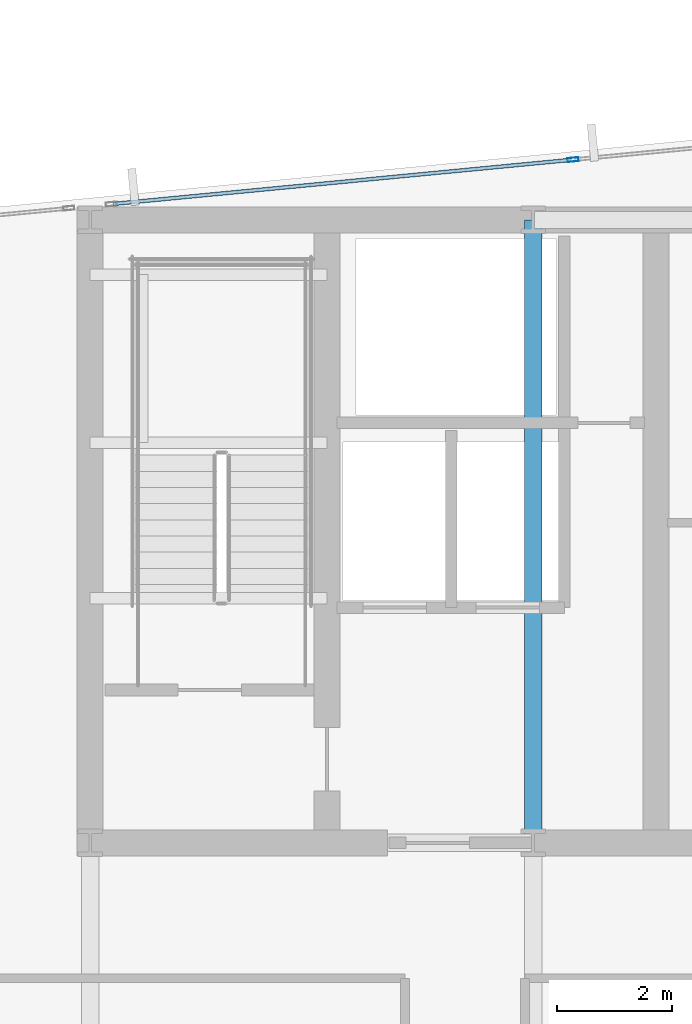
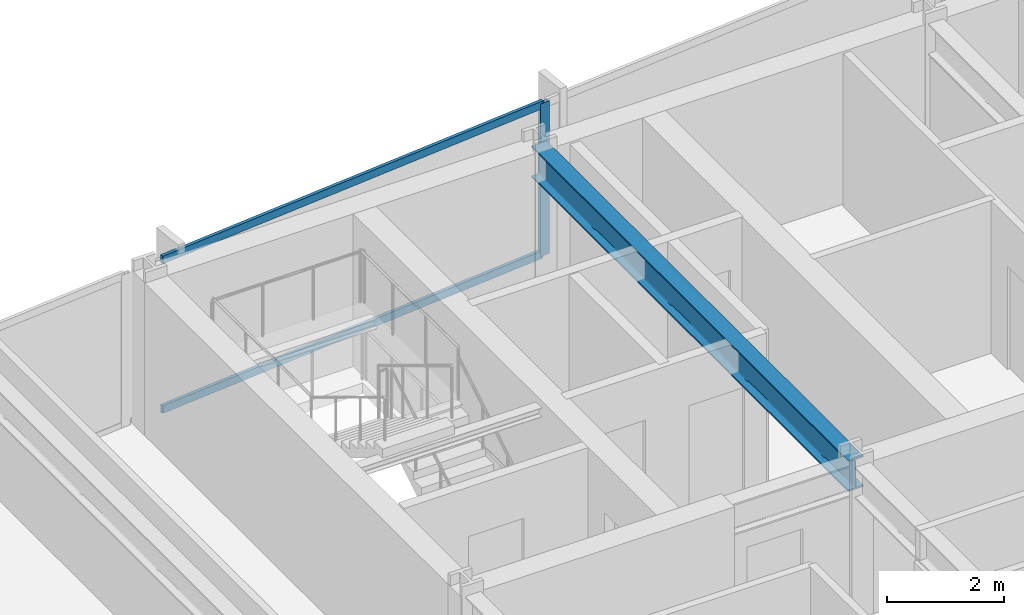
# One storey, part 18 of 32: 3 members, 1 beam, 1 element without a shape of its own.
"""IFC4 building model written with IfcOpenShell, lengths in metres."""

from ifc_helpers import new_model, si_unit, direction, frame, origin, origin_2d, place, context, subcontext, project, spatial, hollow_rectangle, i_section, extrude, material, material_profile, profile_set, type_object, element, aggregate, save


model = new_model("IFC4")

# Units and contexts
model_context = context("Model", 3, precision=1e-05, world=origin(), true_north=direction((0.0, 1.0)))
body_context = subcontext(model_context, "Body", "Model", "MODEL_VIEW")
ifc_project = project(units=[si_unit("LENGTHUNIT", "METRE"), si_unit("AREAUNIT", "SQUARE_METRE"), si_unit("VOLUMEUNIT", "CUBIC_METRE"), si_unit("PLANEANGLEUNIT", "RADIAN"), si_unit("MASSUNIT", "GRAM", prefix="KILO")], contexts=[model_context])

# Site, building, storey
site_placement = place(None, origin())
site = spatial("IfcSite", under=ifc_project, at=site_placement, CompositionType="ELEMENT")
building_placement = place(site_placement, origin())
building = spatial("IfcBuilding", under=site, at=building_placement, Name="Yelkora Congress Tower", CompositionType="ELEMENT")
storey_placement = place(building_placement, frame((0.0, 0.0, 116.89990234375)))
storey = spatial("IfcBuildingStorey", under=building, at=storey_placement, Name="L31", CompositionType="ELEMENT", Elevation=116.89990234375)

# Beam
ifc_material_1 = material(Name="Steel S355J2", Category="steel")
ifc_material_profile_1 = material_profile(ifc_material_1, i_section(OverallWidth=0.300048828125, OverallDepth=0.64990234375, WebThickness=0.01611328125, FlangeThickness=0.031005859375, FilletRadius=0.027099609375, at=origin_2d()), Name="HEB 650")
ifc_profile_set_1 = profile_set([ifc_material_profile_1], Name="Steel S355J2")
beam_type = type_object("IfcBeamType", Name="BM-GIRD-HEB650", PredefinedType="BEAM", material=ifc_profile_set_1)
beam_placement = place(storey_placement, frame((30.719970703125, 35.39990234375, 2.85498046875), z_axis=(0.0, 1.0, 0.0), x_axis=(-1.0, 0.0, 0.0)))
element("IfcBeam", 1, at=beam_placement, inside=storey, type_object=beam_type, Name="L31 Core Tie Girder MC-S2", PredefinedType="BEAM", context=body_context, shape_type="SweptSolid", body=[
    extrude(i_section(OverallWidth=0.300048828125, OverallDepth=0.64990234375, WebThickness=0.01611328125, FlangeThickness=0.031005859375, FilletRadius=0.027099609375, at=origin_2d()), origin(), (0.0, 0.0, 1.0), 10.800048828125),
])

# Curtain wall, members
ifc_material_2 = material(Name="Anodised aluminium and insulated glass", Category="aluminium")
curtain_wall_type = type_object("IfcCurtainWallType", Name="CW-SYS-B2", PredefinedType="NOTDEFINED", material=ifc_material_2)
curtain_wall_placement = place(storey_placement, origin())
curtain_wall = element("IfcCurtainWall", 2, at=curtain_wall_placement, inside=storey, type_object=curtain_wall_type, Name="L31 Unitised Curtain Wall 10 (3)", PredefinedType="NOTDEFINED")
ifc_material_3 = material(Name="Anodised aluminium 6063-T6", Category="aluminium")
ifc_material_profile_2 = material_profile(ifc_material_3, hollow_rectangle(XDim=0.070068359375, YDim=0.18994140625, WallThickness=0.00390625, at=origin_2d()), Name="ALU 70x190x4")
ifc_profile_set_2 = profile_set([ifc_material_profile_2], Name="Anodised aluminium 6063-T6")
member_type_1 = type_object("IfcMemberType", Name="MEM-ML-B2", PredefinedType="MULLION", material=ifc_profile_set_2)
member_1_placement = place(storey_placement, frame((31.411865234375, 47.244140625, 0.0), z_axis=(0.0, 0.0, 1.0), x_axis=(-0.095844238468, 0.995396344153, 0.0)))
member_1 = element("IfcMember", 3, at=member_1_placement, type_object=member_type_1, Name="CW-B2 mullion 2", PredefinedType="MULLION", context=body_context, shape_type="SweptSolid", body=[
    extrude(hollow_rectangle(XDim=0.070068359375, YDim=0.18994140625, WallThickness=0.00390625, at=origin_2d()), origin(), (0.0, 0.0, 1.0), 3.18017578125),
])
ifc_material_profile_3 = material_profile(ifc_material_3, hollow_rectangle(XDim=0.06494140625, YDim=0.159912109375, WallThickness=0.00390625, at=origin_2d()), Name="ALU 65x160x4")
ifc_profile_set_3 = profile_set([ifc_material_profile_3], Name="Anodised aluminium 6063-T6")
member_type_2 = type_object("IfcMemberType", Name="MEM-TR-B2", PredefinedType="USERDEFINED", material=ifc_profile_set_3)
member_2_placement = place(storey_placement, frame((23.441650390625, 46.476806640625, 0.03271484375), z_axis=(0.995398474706, 0.09582210889, 0.0), x_axis=(-0.09582210889, 0.995398474706, 0.0)))
member_2 = element("IfcMember", 4, at=member_2_placement, type_object=member_type_2, Name="CW-B2 transom 1.1", ObjectType="TRANSOM", PredefinedType="USERDEFINED", context=body_context, shape_type="SweptSolid", body=[
    extrude(hollow_rectangle(XDim=0.06494140625, YDim=0.159912109375, WallThickness=0.00390625, at=origin_2d()), origin(), (0.0, 0.0, 1.0), 7.97216796875),
])
member_3_placement = place(storey_placement, frame((23.441650390625, 46.476806640625, 3.147705078125), z_axis=(0.995398474706, 0.09582210889, 0.0), x_axis=(-0.09582210889, 0.995398474706, 0.0)))
member_3 = element("IfcMember", 5, at=member_3_placement, type_object=member_type_2, Name="CW-B2 transom 1.2", ObjectType="TRANSOM", PredefinedType="USERDEFINED", context=body_context, shape_type="SweptSolid", body=[
    extrude(hollow_rectangle(XDim=0.06494140625, YDim=0.159912109375, WallThickness=0.00390625, at=origin_2d()), origin(), (0.0, 0.0, 1.0), 7.97216796875),
])
aggregate(curtain_wall, [member_1, member_2, member_3])

save(model, "model.ifc")
